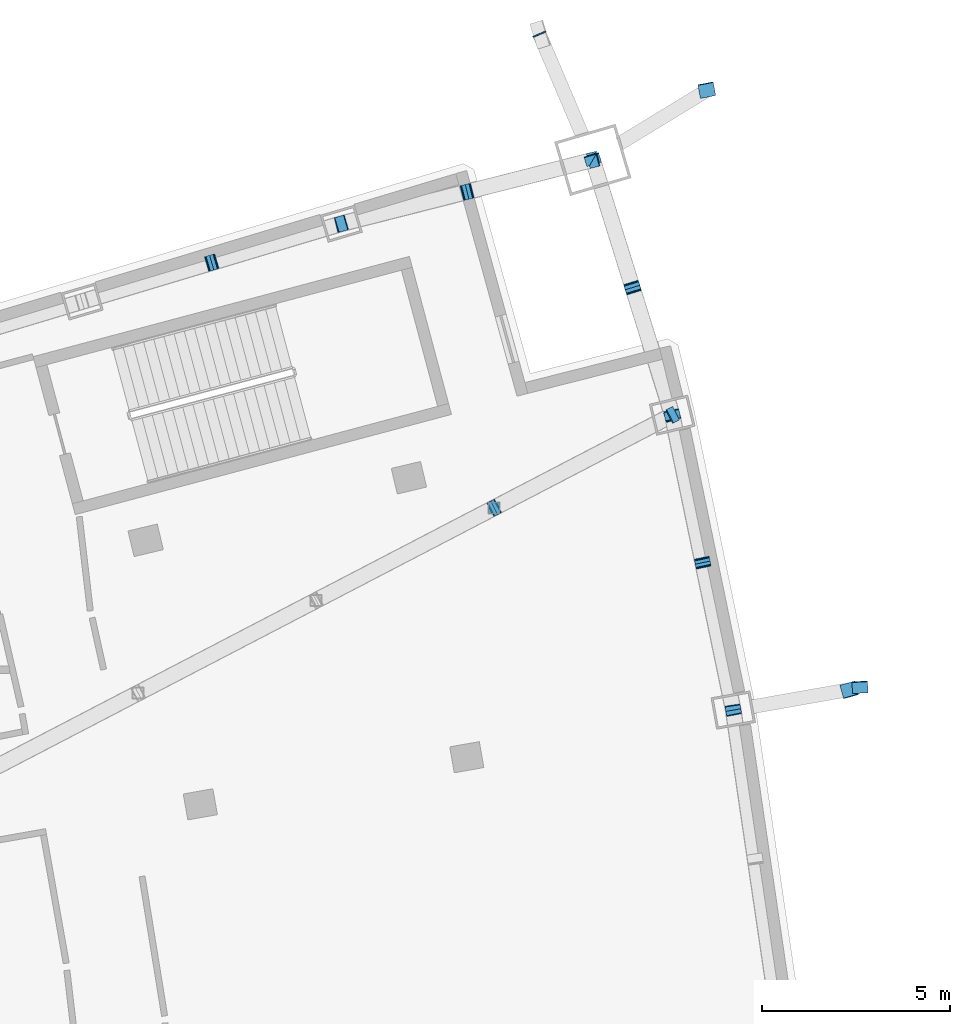
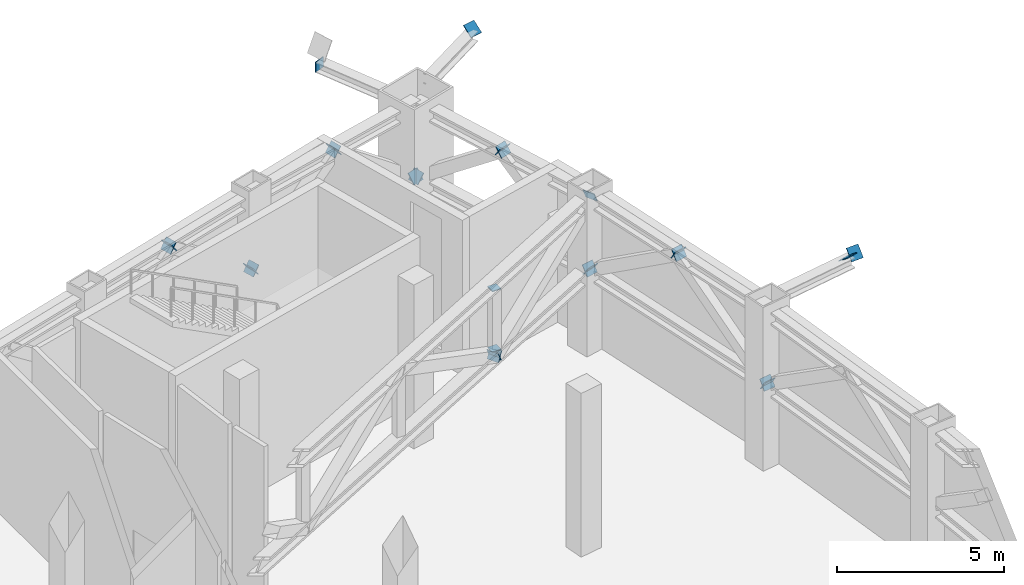
# One storey, part 22 of 23: 25 discrete accessories.
"""IFC4 building model written with IfcOpenShell, lengths in metres."""

from ifc_helpers import new_model, si_unit, direction, frame, origin, origin_2d, place, context, subcontext, project, spatial, rectangle, extrude, material, material_profile, profile_set, type_object, element, save


model = new_model("IFC4")

# Units and contexts
model_context = context("Model", 3, precision=1e-05, world=origin(), true_north=direction((0.0, 1.0)))
body_context = subcontext(model_context, "Body", "Model", "MODEL_VIEW")
ifc_project = project(units=[si_unit("LENGTHUNIT", "METRE"), si_unit("AREAUNIT", "SQUARE_METRE"), si_unit("VOLUMEUNIT", "CUBIC_METRE"), si_unit("PLANEANGLEUNIT", "RADIAN"), si_unit("MASSUNIT", "GRAM", prefix="KILO")], contexts=[model_context])

# Site, building, storey
site_placement = place(None, origin())
site = spatial("IfcSite", under=ifc_project, at=site_placement, CompositionType="ELEMENT")
building_placement = place(site_placement, origin())
building = spatial("IfcBuilding", under=site, at=building_placement, Name="Alderwake Tower", CompositionType="ELEMENT")
storey_placement = place(building_placement, frame((0.0, 0.0, 239.60009765625)))
storey = spatial("IfcBuildingStorey", under=building, at=storey_placement, Name="L59", CompositionType="ELEMENT", Elevation=239.60009765625)

# Discrete accessories
ifc_material_1 = material(Name="Steel ASTM A572 Grade 50", Category="steel")
ifc_material_profile_1 = material_profile(ifc_material_1, rectangle(XDim=0.3046875, YDim=0.3046875, at=origin_2d()), Name="HSS12X12X1/2 cap")
ifc_profile_set_1 = profile_set([ifc_material_profile_1], Name="Steel ASTM A572 Grade 50")
discrete_accessory_type_1 = type_object("IfcDiscreteAccessoryType", Name="End cap plate HSS12X12X1/2", PredefinedType="USERDEFINED", material=ifc_profile_set_1)
discrete_accessory_1_placement = place(storey_placement, frame((48.940185546875, 90.305419921875, 3.014404296875), z_axis=(0.0, 0.0, -1.0), x_axis=(1.0, 0.0, 0.0)))
element("IfcDiscreteAccessory", 1, at=discrete_accessory_1_placement, inside=storey, type_object=discrete_accessory_type_1, Name="End cap OR59NF.P4 S", ObjectType="END CAP", PredefinedType="USERDEFINED", context=body_context, shape_type="SweptSolid", body=[
    extrude(rectangle(XDim=0.3046875, YDim=0.3046875, at=origin_2d()), origin(), (0.0, 0.0, 1.0), 0.02978515625),
])
discrete_accessory_2_placement = place(storey_placement, frame((48.940185546875, 90.305419921875, 5.21533203125), z_axis=(0.0, 0.0, 1.0), x_axis=(1.0, 0.0, 0.0)))
element("IfcDiscreteAccessory", 2, at=discrete_accessory_2_placement, inside=storey, type_object=discrete_accessory_type_1, Name="End cap OR59NF.P4 N", ObjectType="END CAP", PredefinedType="USERDEFINED", context=body_context, shape_type="SweptSolid", body=[
    extrude(rectangle(XDim=0.3046875, YDim=0.3046875, at=origin_2d()), origin(), (0.0, 0.0, 1.0), 0.030029296875),
])
ifc_material_2 = material(Name="Steel ASTM A572 Grade 50", Category="steel")
ifc_material_profile_2 = material_profile(ifc_material_2, rectangle(XDim=0.406494140625, YDim=0.406494140625, at=origin_2d()), Name="HSS16X16X5/8 cap")
ifc_profile_set_2 = profile_set([ifc_material_profile_2], Name="Steel ASTM A572 Grade 50")
discrete_accessory_type_2 = type_object("IfcDiscreteAccessoryType", Name="End cap plate HSS16X16X5/8", PredefinedType="USERDEFINED", material=ifc_profile_set_2)
for number, where, z_axis, x_axis, name in (
    (3, (55.301513671875, 84.922607421875, 2.7822265625), (-0.122270871891, 0.823290537399, -0.554294619239), (-0.989150815738, -0.146903586496, 0.0), "End cap BT59F09.D2 S"),
    (4, (55.301513671875, 84.922607421875, 2.7822265625), (0.162088179695, -0.818545307458, -0.551099810962), (0.98095245073, 0.194248010046, 0.0), "End cap BT59F10.D1 S"),
    (5, (54.489013671875, 88.84619140625, 5.447509765625), (-0.171093979101, 0.814733233815, 0.554018598995), (-0.978653496602, -0.205517234286, 0.0), "End cap BT59F10.D1 N"),
    (6, (53.676513671875, 92.77001953125, 2.7822265625), (-0.171093979101, 0.814733233815, -0.554018598995), (-0.978653496602, -0.205517234286, 0.0), "End cap BT59F10.D2 S"),
    (7, (54.489013671875, 88.84619140625, 5.447509765625), (0.171093979101, -0.814733233815, 0.554018598995), (0.978653496602, 0.205517234286, 0.0), "End cap BT59F10.D2 N"),
    (8, (53.676513671875, 92.77001953125, 2.7822265625), (0.235585570324, -0.763622193465, -0.601149386345), (0.955558946739, 0.29480010059, 0.0), "End cap BT59F11.D1 S"),
    (9, (52.620849609375, 96.166015625, 5.447509765625), (-0.235585570324, 0.763622193465, 0.601149386345), (-0.955558946739, -0.29480010059, 0.0), "End cap BT59F11.D1 N"),
    (10, (51.565185546875, 99.56201171875, 2.7822265625), (-0.235585570324, 0.763622193465, -0.601149386345), (-0.955558946739, -0.29480010059, 0.0), "End cap BT59F11.D2 S"),
    (11, (52.620849609375, 96.166015625, 5.447509765625), (0.235585570324, -0.763622193465, 0.601149386345), (0.955558946739, 0.29480010059, 0.0), "End cap BT59F11.D2 N"),
):
    element("IfcDiscreteAccessory", number, at=place(storey_placement, frame(where, z_axis=z_axis, x_axis=x_axis)), inside=storey, type_object=discrete_accessory_type_2, Name=name, ObjectType="END CAP", PredefinedType="USERDEFINED", context=body_context, shape_type="SweptSolid", body=[
        extrude(rectangle(XDim=0.406494140625, YDim=0.406494140625, at=origin_2d()), origin(), (0.0, 0.0, 1.0), 0.030029296875),
    ])
discrete_accessory_3_placement = place(storey_placement, frame((41.42431640625, 96.82861328125, 5.447509765625), z_axis=(0.768406241374, 0.226477629037, 0.598548019597), x_axis=(-0.282712925106, 0.959204567325, 0.0)))
element("IfcDiscreteAccessory", 12, at=discrete_accessory_3_placement, inside=storey, type_object=discrete_accessory_type_2, Name="End cap BT59E123.D1 N", ObjectType="END CAP", PredefinedType="USERDEFINED", context=body_context, shape_type="SweptSolid", body=[
    extrude(rectangle(XDim=0.406494140625, YDim=0.406494140625, at=origin_2d()), origin(), (0.0, 0.0, 1.0), 0.0302734375),
])
discrete_accessory_4_placement = place(storey_placement, frame((44.872314453125, 97.86376953125, 2.7822265625), z_axis=(0.772128094399, 0.227574596244, -0.593319483065), x_axis=(-0.282712925106, 0.959204567325, 0.0)))
element("IfcDiscreteAccessory", 13, at=discrete_accessory_4_placement, inside=storey, type_object=discrete_accessory_type_2, Name="End cap BT59E123.D2 S", ObjectType="END CAP", PredefinedType="USERDEFINED", context=body_context, shape_type="SweptSolid", body=[
    extrude(rectangle(XDim=0.406494140625, YDim=0.406494140625, at=origin_2d()), origin(), (0.0, 0.0, 1.0), 0.030029296875),
])
discrete_accessory_5_placement = place(storey_placement, frame((41.42431640625, 96.82861328125, 5.447509765625), z_axis=(-0.768406241374, -0.226477629037, 0.598548019597), x_axis=(0.282712925106, -0.959204567325, 0.0)))
element("IfcDiscreteAccessory", 14, at=discrete_accessory_5_placement, inside=storey, type_object=discrete_accessory_type_2, Name="End cap BT59E123.D2 N", ObjectType="END CAP", PredefinedType="USERDEFINED", context=body_context, shape_type="SweptSolid", body=[
    extrude(rectangle(XDim=0.406494140625, YDim=0.406494140625, at=origin_2d()), origin(), (0.0, 0.0, 1.0), 0.0302734375),
])
for number, where, z_axis, x_axis, name in (
    (15, (44.872314453125, 97.86376953125, 2.7822265625), (-0.766561941972, -0.195717942631, -0.611618570722), (0.247383245266, -0.968917710624, 0.0), "End cap BT59E124.D1 S"),
    (16, (48.21875, 98.712890625, 5.447509765625), (0.766561941972, 0.195717942631, 0.611618570722), (-0.247383245266, 0.968917710624, 0.0), "End cap BT59E124.D1 N"),
    (17, (51.565185546875, 99.56201171875, 2.7822265625), (0.766561941972, 0.195717942631, -0.611618570722), (-0.247383245266, 0.968917710624, 0.0), "End cap BT59E124.D2 S"),
    (18, (48.21875, 98.712890625, 5.447509765625), (-0.766561941972, -0.195717942631, 0.611618570722), (0.247383245266, -0.968917710624, 0.0), "End cap BT59E124.D2 N"),
    (19, (48.940185546875, 90.305419921875, 2.7822265625), (0.791079295401, 0.415928289335, -0.448550115949), (-0.465370309963, 0.885116079734, 0.0), "End cap OR59NF.D4 S"),
    (20, (48.940185546875, 90.305419921875, 2.7822265625), (-0.79674796748, -0.406504065041, -0.447154471545), (0.454470341688, -0.890761869708, 0.0), "End cap OR59NF.D5 S"),
    (21, (53.676513671875, 92.77001953125, 5.447509765625), (0.79674796748, 0.406504065041, 0.447154471545), (-0.454470341688, 0.890761869708, 0.0), "End cap OR59NF.D5 N"),
):
    element("IfcDiscreteAccessory", number, at=place(storey_placement, frame(where, z_axis=z_axis, x_axis=x_axis)), inside=storey, type_object=discrete_accessory_type_2, Name=name, ObjectType="END CAP", PredefinedType="USERDEFINED", context=body_context, shape_type="SweptSolid", body=[
        extrude(rectangle(XDim=0.406494140625, YDim=0.406494140625, at=origin_2d()), origin(), (0.0, 0.0, 1.0), 0.030029296875),
    ])
ifc_material_3 = material(Name="Steel ASTM A572 Grade 50", Category="steel")
ifc_material_profile_3 = material_profile(ifc_material_3, rectangle(XDim=0.3740234375, YDim=0.372314453125, at=origin_2d()), Name="W14X132 cap")
ifc_profile_set_3 = profile_set([ifc_material_profile_3], Name="Steel ASTM A572 Grade 50")
discrete_accessory_type_3 = type_object("IfcDiscreteAccessoryType", Name="End cap plate W14X132", PredefinedType="USERDEFINED", material=ifc_profile_set_3)
discrete_accessory_6_placement = place(storey_placement, frame((50.150146484375, 102.893798828125, 5.34375), z_axis=(-0.39096815767, 0.920404204515, 0.0), x_axis=(-0.920404204515, -0.39096815767, 0.0)))
element("IfcDiscreteAccessory", 22, at=discrete_accessory_6_placement, inside=storey, type_object=discrete_accessory_type_3, Name="End cap BS.NR12-C5.2456 N", ObjectType="END CAP", PredefinedType="USERDEFINED", context=body_context, shape_type="SweptSolid", body=[
    extrude(rectangle(XDim=0.3740234375, YDim=0.372314453125, at=origin_2d()), origin(), (0.0, 0.0, 1.0), 0.030029296875),
])
ifc_material_4 = material(Name="Steel ASTM A572 Grade 50", Category="steel")
ifc_material_profile_4 = material_profile(ifc_material_4, rectangle(XDim=0.41552734375, YDim=0.445556640625, at=origin_2d()), Name="W14X342 cap")
ifc_profile_set_4 = profile_set([ifc_material_profile_4], Name="Steel ASTM A572 Grade 50")
discrete_accessory_type_4 = type_object("IfcDiscreteAccessoryType", Name="End cap plate W14X342", PredefinedType="USERDEFINED", material=ifc_profile_set_4)
for number, where, z_axis, x_axis, name in (
    (23, (58.67578125, 85.51904296875, 6.0), (-0.040538023649, 0.745899635135, -0.664823587837), (-0.998526420466, -0.054267740243, 0.0), "End cap BRF5.1.7B1 S"),
    (24, (58.3876953125, 85.468017578125, 6.0), (0.163054916972, -0.578844955251, -0.798969093164), (0.962540441845, 0.271138152632, 0.0), "End cap BRF5.1.10A S"),
    (25, (54.598876953125, 101.410400390625, 6.0), (-0.113821138211, 0.593495934959, -0.79674796748), (-0.982102279235, -0.188348382319, 0.0), "End cap BRF5.1.10B1 S"),
):
    element("IfcDiscreteAccessory", number, at=place(storey_placement, frame(where, z_axis=z_axis, x_axis=x_axis)), inside=storey, type_object=discrete_accessory_type_4, Name=name, ObjectType="END CAP", PredefinedType="USERDEFINED", context=body_context, shape_type="SweptSolid", body=[
        extrude(rectangle(XDim=0.41552734375, YDim=0.445556640625, at=origin_2d()), origin(), (0.0, 0.0, 1.0), 0.030029296875),
    ])

save(model, "model.ifc")
